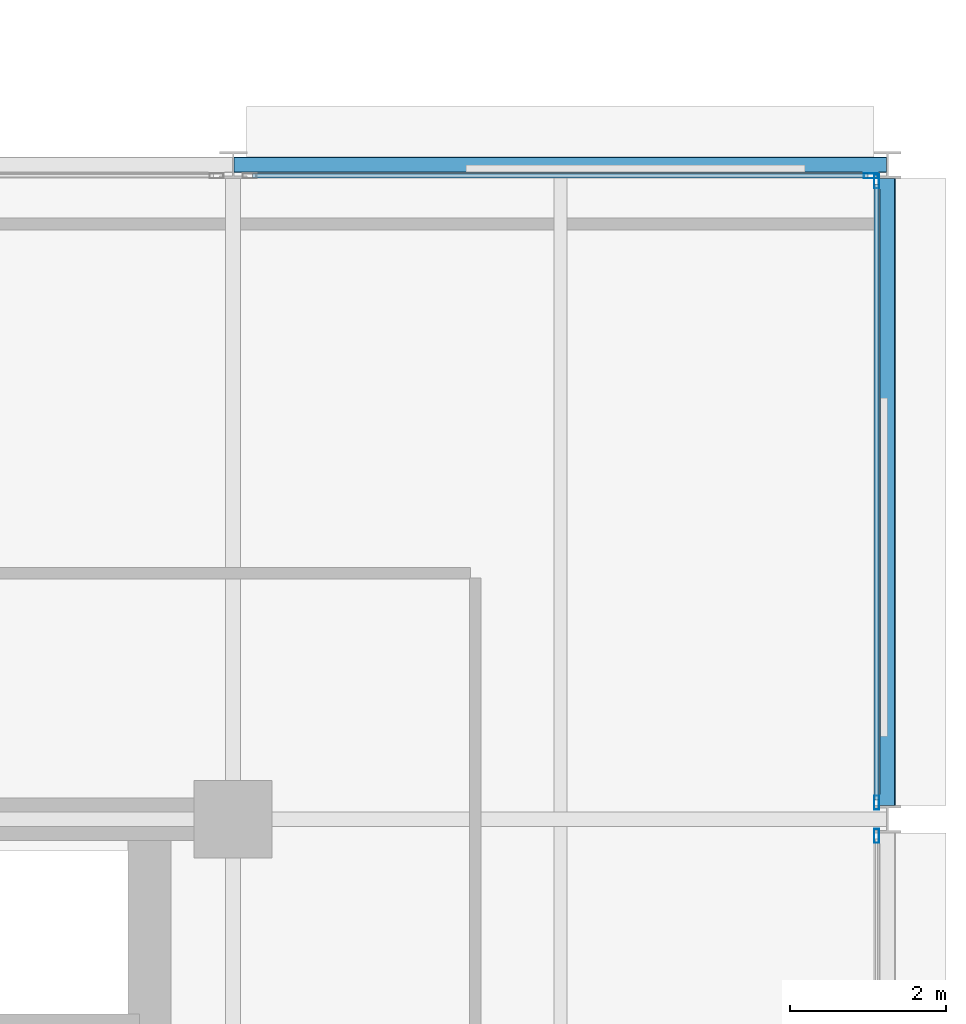
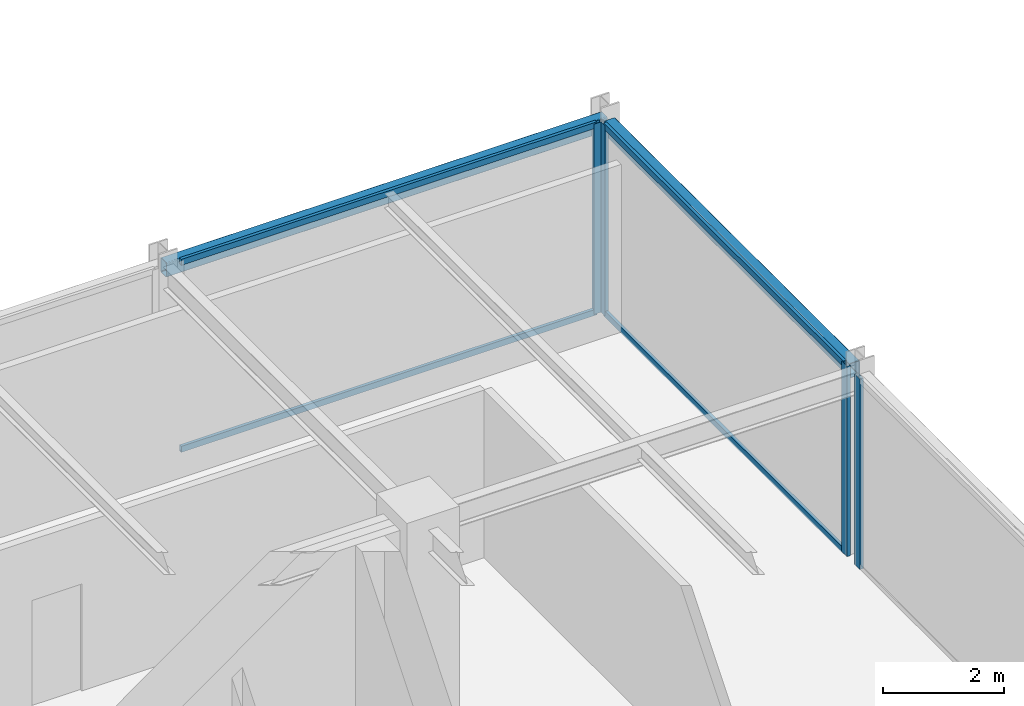
# One storey, part 17 of 30: 8 members, 2 beams, 3 elements without a shape of their own.
"""IFC4 building model written with IfcOpenShell, lengths in metres."""

import ifcopenshell
import ifcopenshell.guid

model = None  # the IFC model being written
_history = None  # IfcOwnerHistory: only IFC2X3 demands one
_inside = {}  # id of a spatial element -> (the spatial element, [elements in it])
_under = {}  # id of a project, library or spatial element -> (it, [spatial elements below it])
_declared = {}  # id of a project -> (the project, [libraries it declares])
_typed = {}  # id of a type object -> (the type object, [elements of that type])
_made_of = {}  # id of a material, layer set ... -> (it, [elements and type objects made of it])


def new_model(schema):
    """Start an empty IFC model of exactly this schema.

    Asked for "IFC4X3", IfcOpenShell would pick the latest addendum, in which some entities
    have other attributes; the version numbers below select the first issue.
    IFC2X3 requires an IfcOwnerHistory on every rooted entity: one is made here for all.
    """
    global model, _history
    if schema == "IFC4X3":
        model = ifcopenshell.file(schema_version=(4, 3, 0, 0))
    else:
        model = ifcopenshell.file(schema=schema)
    _inside.clear()
    _under.clear()
    _declared.clear()
    _typed.clear()
    _made_of.clear()
    _history = None
    if model.schema == "IFC2X3":
        org = make("IfcOrganization", Name="unknown")
        user = make(
            "IfcPersonAndOrganization",
            ThePerson=make("IfcPerson", FamilyName="unknown"),
            TheOrganization=org,
        )
        app = make(
            "IfcApplication",
            ApplicationDeveloper=org,
            Version="unknown",
            ApplicationFullName="unknown",
            ApplicationIdentifier="unknown",
        )
        _history = make(
            "IfcOwnerHistory",
            OwningUser=user,
            OwningApplication=app,
            ChangeAction="ADDED",
            CreationDate=0,
        )
    return model


def make(cls, **values):
    """One entity of the class cls with the attributes given. An attribute that is None is left unset."""
    return model.create_entity(
        cls, **{name: value for name, value in values.items() if value is not None}
    )


def rooted(cls, **values):
    """An entity with a GlobalId (a new one), such as an element, a storey or a relation."""
    return make(cls, GlobalId=ifcopenshell.guid.new(), OwnerHistory=_history, **values)


def si_unit(unit_type, name, prefix=None):
    """IfcSIUnit, for example si_unit("LENGTHUNIT", "METRE", prefix="MILLI")."""
    return make("IfcSIUnit", UnitType=unit_type, Prefix=prefix, Name=name)


def assignment(units):
    """IfcUnitAssignment: the units of a project."""
    return None if units is None else make("IfcUnitAssignment", Units=units)


def point(xyz):
    """IfcCartesianPoint."""
    return None if xyz is None else make("IfcCartesianPoint", Coordinates=xyz)


def direction(xyz):
    """IfcDirection."""
    return None if xyz is None else make("IfcDirection", DirectionRatios=xyz)


def frame(location, z_axis=None, x_axis=None):
    """IfcAxis2Placement3D, a coordinate frame: its origin and axes. An axis left out is left unset."""
    return make(
        "IfcAxis2Placement3D",
        Location=point(location),
        Axis=direction(z_axis),
        RefDirection=direction(x_axis),
    )


def frame_2d(location, x_axis=None):
    """IfcAxis2Placement2D, a coordinate frame in the plane: its origin and x axis."""
    return make(
        "IfcAxis2Placement2D", Location=point(location), RefDirection=direction(x_axis)
    )


def origin():
    """The frame at (0, 0, 0) with its axes left unset."""
    return frame((0.0, 0.0, 0.0))


def origin_2d():
    """The frame at (0, 0) in the plane with its x axis left unset."""
    return frame_2d((0.0, 0.0))


def place(relative_to, where):
    """IfcLocalPlacement: puts the frame where relative to a parent placement (None: the world)."""
    return make(
        "IfcLocalPlacement", PlacementRelTo=relative_to, RelativePlacement=where
    )


def context(
    kind, dimensions, precision=None, world=None, true_north=None, identifier=None
):
    """IfcGeometricRepresentationContext, for example the 3D "Model" context."""
    return make(
        "IfcGeometricRepresentationContext",
        ContextIdentifier=identifier,
        ContextType=kind,
        CoordinateSpaceDimension=dimensions,
        Precision=precision,
        WorldCoordinateSystem=world,
        TrueNorth=true_north,
    )


def subcontext(parent, identifier, kind, view, scale=None):
    """IfcGeometricRepresentationSubContext, for example "Body" below "Model"."""
    return make(
        "IfcGeometricRepresentationSubContext",
        ContextIdentifier=identifier,
        ContextType=kind,
        ParentContext=parent,
        TargetScale=scale,
        TargetView=view,
    )


def project(units=None, contexts=None):
    """IfcProject with its units and contexts."""
    return rooted(
        "IfcProject",
        Name="project",
        RepresentationContexts=contexts,
        UnitsInContext=assignment(units),
    )


def spatial(cls, under=None, at=None, **own):
    """A site, building, storey or space (cls), placed at a placement, below another one or the project."""
    s = rooted(cls, ObjectPlacement=at, **own)
    if under is not None:
        _under.setdefault(under.id(), (under, []))[1].append(s)
    return s


def profile(cls, at=None, kind="AREA", **sizes):
    """A parametric profile (cls). Its sizes go by their IFC names, for example OverallWidth=200.0."""
    return make(cls, ProfileType=kind, Position=at, **sizes)


def hollow_rectangle(**sizes):
    """IfcRectangleHollowProfileDef."""
    return profile("IfcRectangleHollowProfileDef", **sizes)


def extrude(swept, where, along, depth):
    """IfcExtrudedAreaSolid: the profile swept, set in the frame where, extruded along a direction by depth."""
    return make(
        "IfcExtrudedAreaSolid",
        SweptArea=swept,
        Position=where,
        ExtrudedDirection=direction(along),
        Depth=depth,
    )


def shape(context_of_items, identifier, shape_type, items):
    """IfcShapeRepresentation: the items that make up one representation, for example the "Body"."""
    return make(
        "IfcShapeRepresentation",
        ContextOfItems=context_of_items,
        RepresentationIdentifier=identifier,
        RepresentationType=shape_type,
        Items=items,
    )


def material(Name=None, Category=None):
    """IfcMaterial."""
    return make("IfcMaterial", Name=Name, Category=Category)


def layer(
    of_material, thickness, ventilated=None, Name=None, Category=None, Priority=None
):
    """IfcMaterialLayer: one layer of a wall or slab, of a material (None: an air gap)."""
    return make(
        "IfcMaterialLayer",
        Material=of_material,
        LayerThickness=thickness,
        IsVentilated=ventilated,
        Name=Name,
        Category=Category,
        Priority=Priority,
    )


def layer_set(layers, Name=None):
    """IfcMaterialLayerSet."""
    return make("IfcMaterialLayerSet", MaterialLayers=layers, LayerSetName=Name)


def material_profile(
    of_material, cross_section, Name=None, Category=None, Priority=None
):
    """IfcMaterialProfile: a cross section and its material."""
    return make(
        "IfcMaterialProfile",
        Name=Name,
        Material=of_material,
        Profile=cross_section,
        Priority=Priority,
        Category=Category,
    )


def profile_set(profiles, Name=None, composite=None):
    """IfcMaterialProfileSet."""
    return make(
        "IfcMaterialProfileSet",
        Name=Name,
        MaterialProfiles=profiles,
        CompositeProfile=composite,
    )


def made_of(thing, what):
    """Note that an element or type object is made of a material, layer set ...; save() writes the relation."""
    if what is not None:
        _made_of.setdefault(what.id(), (what, []))[1].append(thing)
    return thing


def type_object(cls, material=None, **own):
    """A type object (cls), such as IfcWallType, which elements share."""
    return made_of(rooted(cls, **own), material)


def element(
    cls,
    number,
    at=None,
    inside=None,
    cuts=None,
    type_object=None,
    material=None,
    context=None,
    identifier="Body",
    shape_type=None,
    held_by="IfcProductDefinitionShape",
    body=None,
    shapes=None,
    **own,
):
    """One element of the class cls, such as IfcWall. Its Tag is "e" and its number.

    at: its placement. inside: the storey or other place that contains it. cuts: it is an
    opening in that element (IfcRelVoidsElement). A single representation is given by context,
    identifier, shape_type and body (its items); several are given by shapes. held_by: the class
    of the entity that holds the representations. save() writes the other relations.
    """
    e = rooted(cls, Tag="e%d" % number, ObjectPlacement=at, **own)
    if body is not None:
        shapes = [shape(context, identifier, shape_type, body)]
    if shapes is not None:
        e.Representation = make(held_by, Representations=shapes)
    if inside is not None:
        _inside.setdefault(inside.id(), (inside, []))[1].append(e)
    if cuts is not None:
        rooted(
            "IfcRelVoidsElement", RelatingBuildingElement=cuts, RelatedOpeningElement=e
        )
    if type_object is not None:
        _typed.setdefault(type_object.id(), (type_object, []))[1].append(e)
    return made_of(e, material)


def aggregate(whole, parts):
    """IfcRelAggregates: a whole, such as a stair, and the parts it consists of."""
    return rooted("IfcRelAggregates", RelatingObject=whole, RelatedObjects=parts)


def save(model, path):
    """Write the relations noted so far, then the file.

    IfcRelAggregates (storeys below a building ...), IfcRelContainedInSpatialStructure (elements
    in a storey), IfcRelDefinesByType, IfcRelAssociatesMaterial and IfcRelDeclares: one each for
    every whole, place, type object, material and project.
    """
    for whole, parts in _under.values():
        aggregate(whole, parts)
    for where, things in _inside.values():
        rooted(
            "IfcRelContainedInSpatialStructure",
            RelatedElements=things,
            RelatingStructure=where,
        )
    for kind, things in _typed.values():
        rooted("IfcRelDefinesByType", RelatedObjects=things, RelatingType=kind)
    for what, things in _made_of.values():
        rooted("IfcRelAssociatesMaterial", RelatedObjects=things, RelatingMaterial=what)
    for by, libraries in _declared.values():
        rooted("IfcRelDeclares", RelatingContext=by, RelatedDefinitions=libraries)
    model.write(path)


model = new_model("IFC4")

# Units and contexts
model_context = context("Model", 3, precision=1e-05, world=origin(), true_north=direction((0.0, 1.0)))
body_context = subcontext(model_context, "Body", "Model", "MODEL_VIEW")
ifc_project = project(units=[si_unit("LENGTHUNIT", "METRE"), si_unit("AREAUNIT", "SQUARE_METRE"), si_unit("VOLUMEUNIT", "CUBIC_METRE"), si_unit("PLANEANGLEUNIT", "RADIAN"), si_unit("MASSUNIT", "GRAM", prefix="KILO")], contexts=[model_context])

# Site, building, storey
site_placement = place(None, origin())
site = spatial("IfcSite", under=ifc_project, at=site_placement, CompositionType="ELEMENT")
building_placement = place(site_placement, origin())
building = spatial("IfcBuilding", under=site, at=building_placement, Name="Nerrivon Quay Data Exchange", CompositionType="ELEMENT")
storey_placement = place(building_placement, frame((0.0, 0.0, 167.300048828125)))
storey = spatial("IfcBuildingStorey", under=building, at=storey_placement, Name="L39", CompositionType="ELEMENT", Elevation=167.300048828125)

# Beams
ifc_material_1 = material(Name="Steel Grade C350L0 (350 MPa)", Category="steel")
ifc_material_profile_1 = material_profile(ifc_material_1, hollow_rectangle(XDim=0.199951171875, YDim=0.300048828125, WallThickness=0.012451171875, InnerFilletRadius=0.018798828125, OuterFilletRadius=0.03125, at=origin_2d()), Name="300x200x12.5RHS")
ifc_profile_set_1 = profile_set([ifc_material_profile_1], Name="Steel Grade C350L0 (350 MPa)")
beam_type = type_object("IfcBeamType", Name="BM-SP3-300x200RHS", PredefinedType="SPANDREL", material=ifc_profile_set_1)
beam_1_placement = place(storey_placement, frame((33.610107421875, 25.199951171875, 3.675048828125), z_axis=(1.0, 0.0, 0.0), x_axis=(0.0, 1.0, 0.0)))
element("IfcBeam", 1, at=beam_1_placement, inside=storey, type_object=beam_type, Name="L39 EW Girder Y=25.2 (33.6..42.0)", PredefinedType="SPANDREL", context=body_context, shape_type="SweptSolid", body=[
    extrude(hollow_rectangle(XDim=0.199951171875, YDim=0.300048828125, WallThickness=0.012451171875, InnerFilletRadius=0.018798828125, OuterFilletRadius=0.03125, at=origin_2d()), origin(), (0.0, 0.0, 1.0), 8.3798828125),
])
beam_2_placement = place(storey_placement, frame((42.0, 16.97509765625, 3.675048828125), z_axis=(0.0, 1.0, 0.0), x_axis=(-1.0, 0.0, 0.0)))
element("IfcBeam", 2, at=beam_2_placement, inside=storey, type_object=beam_type, Name="L39 NS Girder X=42.0 (16.8..25.2)", PredefinedType="SPANDREL", context=body_context, shape_type="SweptSolid", body=[
    extrude(hollow_rectangle(XDim=0.199951171875, YDim=0.300048828125, WallThickness=0.012451171875, InnerFilletRadius=0.018798828125, OuterFilletRadius=0.03125, at=origin_2d()), origin(), (0.0, 0.0, 1.0), 8.0498046875),
])

# Curtain wall, member
ifc_material_2 = material(Name="Anodised aluminium 6063-T6", Category="aluminium")
ifc_layer = layer(ifc_material_2, 0.195068359375)
ifc_layer_set = layer_set([ifc_layer], Name="Anodised aluminium 6063-T6")
curtain_wall_type = type_object("IfcCurtainWallType", Name="CW-SYS-06", PredefinedType="NOTDEFINED", material=ifc_layer_set)
curtain_wall_1_placement = place(storey_placement, origin())
curtain_wall_1 = element("IfcCurtainWall", 3, at=curtain_wall_1_placement, inside=storey, type_object=curtain_wall_type, Name="L39 Unitised Curtain Wall 27", PredefinedType="NOTDEFINED")
ifc_material_profile_2 = material_profile(ifc_material_2, hollow_rectangle(XDim=0.06494140625, YDim=0.179931640625, WallThickness=0.00341796875, at=origin_2d()), Name="ALU-MULL-180x65")
ifc_profile_set_2 = profile_set([ifc_material_profile_2], Name="Anodised aluminium 6063-T6")
member_type_1 = type_object("IfcMemberType", Name="CWM-180x65", PredefinedType="MULLION", material=ifc_profile_set_2)
member_1_placement = place(storey_placement, frame((41.78759765625, 25.06005859375, 0.0), z_axis=(0.0, 0.0, 1.0), x_axis=(0.0, 1.0, 0.0)))
member_1 = element("IfcMember", 4, at=member_1_placement, type_object=member_type_1, Name="CW06 mullion 2", PredefinedType="MULLION", context=body_context, shape_type="SweptSolid", body=[
    extrude(hollow_rectangle(XDim=0.06494140625, YDim=0.179931640625, WallThickness=0.00341796875, at=origin_2d()), origin(), (0.0, 0.0, 1.0), 3.824951171875),
])

# Curtain wall, members
curtain_wall_2_placement = place(storey_placement, origin())
curtain_wall_2 = element("IfcCurtainWall", 5, at=curtain_wall_2_placement, inside=storey, type_object=curtain_wall_type, Name="L39 Unitised Curtain Wall 28", PredefinedType="NOTDEFINED")
member_2_placement = place(storey_placement, frame((41.860107421875, 24.987548828125, 0.0), z_axis=(0.0, 0.0, 1.0), x_axis=(1.0, 0.0, 0.0)))
member_2 = element("IfcMember", 6, at=member_2_placement, type_object=member_type_1, Name="CW06 mullion 1", PredefinedType="MULLION", context=body_context, shape_type="SweptSolid", body=[
    extrude(hollow_rectangle(XDim=0.06494140625, YDim=0.179931640625, WallThickness=0.00341796875, at=origin_2d()), origin(), (0.0, 0.0, 1.0), 3.824951171875),
])
member_3_placement = place(storey_placement, frame((41.860107421875, 17.012451171875, 0.0), z_axis=(0.0, 0.0, 1.0), x_axis=(1.0, 0.0, 0.0)))
member_3 = element("IfcMember", 7, at=member_3_placement, type_object=member_type_1, Name="CW06 mullion 2", PredefinedType="MULLION", context=body_context, shape_type="SweptSolid", body=[
    extrude(hollow_rectangle(XDim=0.06494140625, YDim=0.179931640625, WallThickness=0.00341796875, at=origin_2d()), origin(), (0.0, 0.0, 1.0), 3.824951171875),
])

# Curtain wall, member
curtain_wall_3_placement = place(storey_placement, origin())
curtain_wall_3 = element("IfcCurtainWall", 8, at=curtain_wall_3_placement, inside=storey, type_object=curtain_wall_type, Name="L39 Unitised Curtain Wall 29", PredefinedType="NOTDEFINED")
member_4_placement = place(storey_placement, frame((41.860107421875, 16.58740234375, 0.0), z_axis=(0.0, 0.0, 1.0), x_axis=(1.0, 0.0, 0.0)))
member_4 = element("IfcMember", 9, at=member_4_placement, type_object=member_type_1, Name="CW06 mullion 1", PredefinedType="MULLION", context=body_context, shape_type="SweptSolid", body=[
    extrude(hollow_rectangle(XDim=0.06494140625, YDim=0.179931640625, WallThickness=0.00341796875, at=origin_2d()), origin(), (0.0, 0.0, 1.0), 3.824951171875),
])
aggregate(curtain_wall_3, [member_4])

# Member
ifc_material_profile_3 = material_profile(ifc_material_2, hollow_rectangle(XDim=0.06005859375, YDim=0.1201171875, WallThickness=0.003173828125, at=origin_2d()), Name="ALU-TRAN-120x60")
ifc_profile_set_3 = profile_set([ifc_material_profile_3], Name="Anodised aluminium 6063-T6")
member_type_2 = type_object("IfcMemberType", Name="CWT-120x60", PredefinedType="USERDEFINED", material=ifc_profile_set_3)
member_5_placement = place(storey_placement, frame((33.85009765625, 25.06005859375, 0.032470703125), z_axis=(1.0, 0.0, 0.0), x_axis=(0.0, 1.0, 0.0)))
member_5 = element("IfcMember", 10, at=member_5_placement, type_object=member_type_2, Name="CW06 transom 1.1", ObjectType="TRANSOM", PredefinedType="USERDEFINED", context=body_context, shape_type="SweptSolid", body=[
    extrude(hollow_rectangle(XDim=0.06005859375, YDim=0.1201171875, WallThickness=0.003173828125, at=origin_2d()), origin(), (0.0, 0.0, 1.0), 7.89990234375),
])

member_6_placement = place(storey_placement, frame((33.85009765625, 25.06005859375, 3.79248046875), z_axis=(1.0, 0.0, 0.0), x_axis=(0.0, 1.0, 0.0)))
member_6 = element("IfcMember", 11, at=member_6_placement, type_object=member_type_2, Name="CW06 transom 1.2", ObjectType="TRANSOM", PredefinedType="USERDEFINED", context=body_context, shape_type="SweptSolid", body=[
    extrude(hollow_rectangle(XDim=0.06005859375, YDim=0.1201171875, WallThickness=0.003173828125, at=origin_2d()), origin(), (0.0, 0.0, 1.0), 7.89990234375),
])

aggregate(curtain_wall_1, [member_1, member_5, member_6])

member_7_placement = place(storey_placement, frame((41.860107421875, 24.949951171875, 0.032470703125), z_axis=(0.0, -1.0, 0.0), x_axis=(1.0, 0.0, 0.0)))
member_7 = element("IfcMember", 12, at=member_7_placement, type_object=member_type_2, Name="CW06 transom 1.1", ObjectType="TRANSOM", PredefinedType="USERDEFINED", context=body_context, shape_type="SweptSolid", body=[
    extrude(hollow_rectangle(XDim=0.06005859375, YDim=0.1201171875, WallThickness=0.003173828125, at=origin_2d()), origin(), (0.0, 0.0, 1.0), 7.89990234375),
])

member_8_placement = place(storey_placement, frame((41.860107421875, 24.949951171875, 3.79248046875), z_axis=(0.0, -1.0, 0.0), x_axis=(1.0, 0.0, 0.0)))
member_8 = element("IfcMember", 13, at=member_8_placement, type_object=member_type_2, Name="CW06 transom 1.2", ObjectType="TRANSOM", PredefinedType="USERDEFINED", context=body_context, shape_type="SweptSolid", body=[
    extrude(hollow_rectangle(XDim=0.06005859375, YDim=0.1201171875, WallThickness=0.003173828125, at=origin_2d()), origin(), (0.0, 0.0, 1.0), 7.89990234375),
])

aggregate(curtain_wall_2, [member_2, member_3, member_7, member_8])

save(model, "model.ifc")
